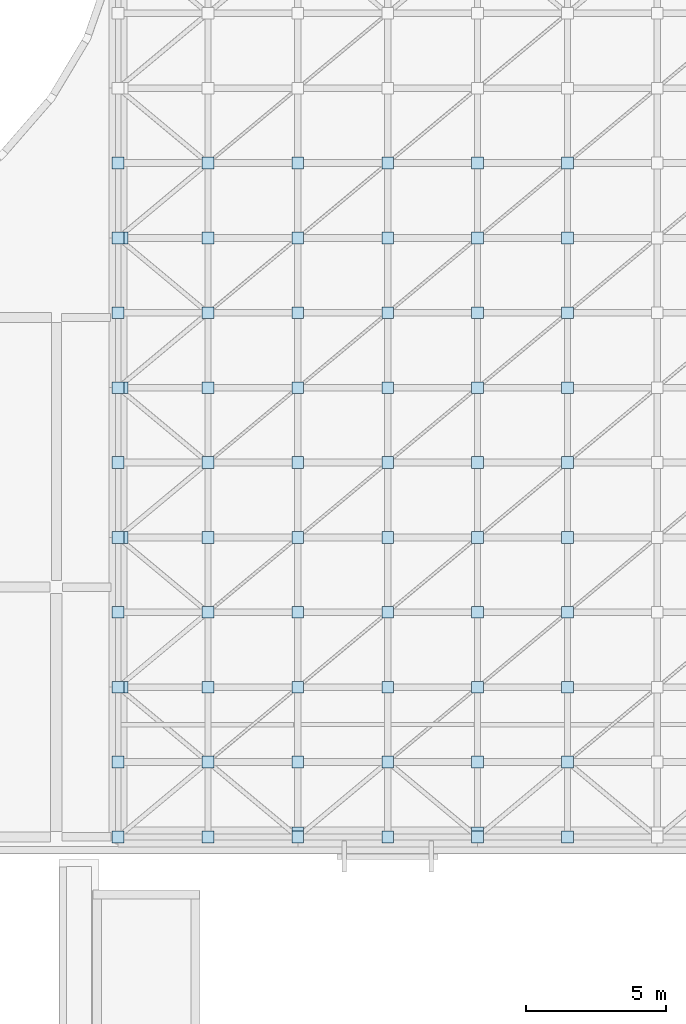
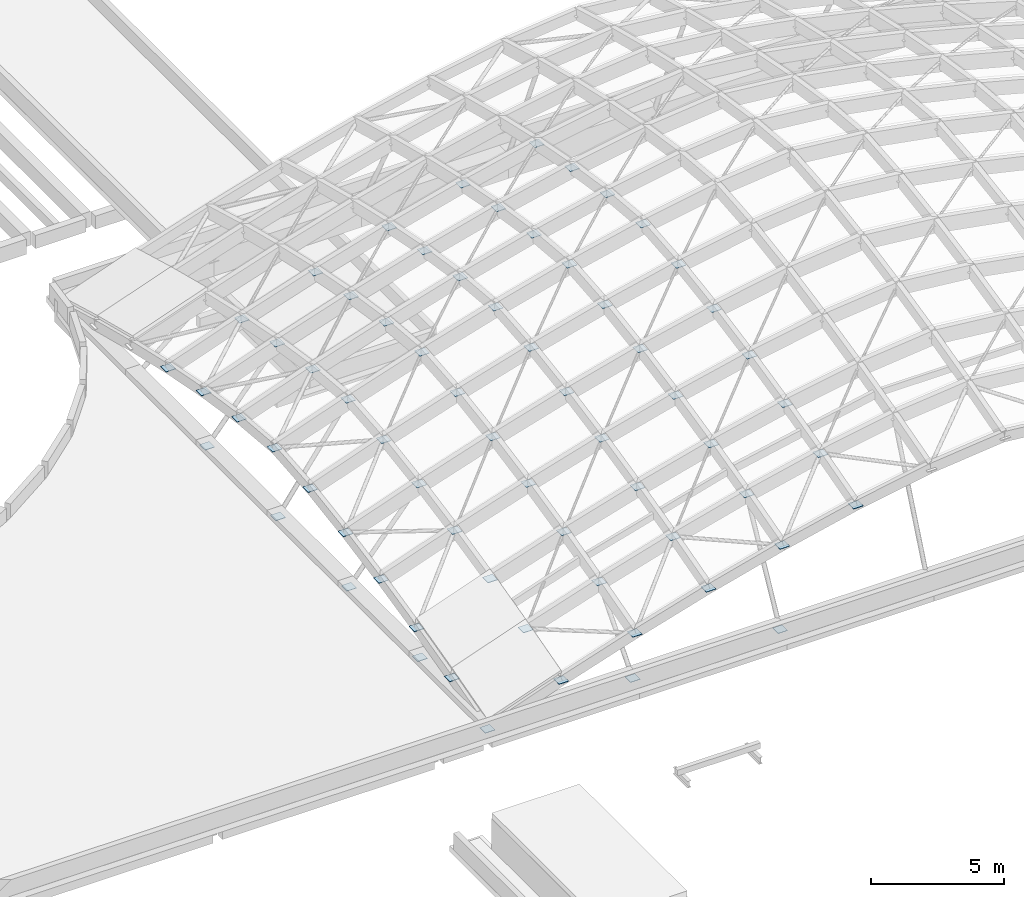
# One storey, part 31 of 40: 66 plates.
"""IFC4 building model written with IfcOpenShell, lengths in metres."""

from ifc_helpers import new_model, si_unit, direction, frame, origin, origin_2d, place, context, subcontext, project, spatial, rectangle, extrude, material, layer, layer_set, type_object, element, save


model = new_model("IFC4")

# Units and contexts
model_context = context("Model", 3, precision=1e-05, world=origin(), true_north=direction((0.0, 1.0)))
body_context = subcontext(model_context, "Body", "Model", "MODEL_VIEW")
ifc_project = project(units=[si_unit("LENGTHUNIT", "METRE"), si_unit("AREAUNIT", "SQUARE_METRE"), si_unit("VOLUMEUNIT", "CUBIC_METRE"), si_unit("PLANEANGLEUNIT", "RADIAN"), si_unit("MASSUNIT", "GRAM", prefix="KILO")], contexts=[model_context])

# Site, building, storey
site_placement = place(None, origin())
site = spatial("IfcSite", under=ifc_project, at=site_placement, CompositionType="ELEMENT")
building_placement = place(site_placement, origin())
building = spatial("IfcBuilding", under=site, at=building_placement, Name="Mzevani Central Library", CompositionType="ELEMENT")
storey_placement = place(building_placement, frame((0.0, 0.0, 26.699951171875)))
storey = spatial("IfcBuildingStorey", under=building, at=storey_placement, Name="RF", CompositionType="ELEMENT", Elevation=26.699951171875)

# Plates
ifc_material = material(Name="Steel S355J2", Category="steel")
ifc_layer = layer(ifc_material, 0.02001953125, Name="Gridshell Hub Gusset Plate 20")
ifc_layer_set = layer_set([ifc_layer], Name="Steel S355J2")
plate_type = type_object("IfcPlateType", Name="Gridshell Hub Gusset Plate 20", PredefinedType="SHEET", material=ifc_layer_set)
for number, where, z_axis, x_axis, name in (
    (1, (114.199951171875, 43.10009765625, -12.9599609375), (0.0, 0.0, 1.0), (1.0, 0.0, 0.0), "RF Gridshell Hub Gusset Node 1.1"),
    (2, (114.199951171875, 45.7666015625, -12.216552734375), (0.0, 0.0, 1.0), (1.0, 0.0, 0.0), "RF Gridshell Hub Gusset Node 1.2"),
    (3, (114.199951171875, 48.433349609375, -11.53759765625), (0.0, 0.0, 1.0), (1.0, 0.0, 0.0), "RF Gridshell Hub Gusset Node 1.3"),
    (4, (114.199951171875, 51.10009765625, -10.93115234375), (0.0, 0.0, 1.0), (1.0, 0.0, 0.0), "RF Gridshell Hub Gusset Node 1.4"),
    (5, (114.199951171875, 53.7666015625, -10.41064453125), (0.0, 0.0, 1.0), (1.0, 0.0, 0.0), "RF Gridshell Hub Gusset Node 1.5"),
    (6, (114.199951171875, 56.433349609375, -9.998046875), (0.0, 0.0, 1.0), (1.0, 0.0, 0.0), "RF Gridshell Hub Gusset Node 1.6"),
    (7, (114.199951171875, 59.10009765625, -9.760009765625), (0.0, 0.0, 1.0), (1.0, 0.0, 0.0), "RF Gridshell Hub Gusset Node 1.7"),
    (8, (114.199951171875, 61.7666015625, -9.998046875), (0.0, 0.0, 1.0), (1.0, 0.0, 0.0), "RF Gridshell Hub Gusset Node 1.8"),
    (9, (114.199951171875, 64.433349609375, -10.41064453125), (0.0, 0.0, 1.0), (1.0, 0.0, 0.0), "RF Gridshell Hub Gusset Node 1.9"),
    (10, (114.199951171875, 67.10009765625, -10.93115234375), (0.0, 0.0, 1.0), (1.0, 0.0, 0.0), "RF Gridshell Hub Gusset Node 1.10"),
    (11, (117.39990234375, 43.10009765625, -11.83837890625), (0.0, 0.0, 1.0), (1.0, 0.0, 0.0), "RF Gridshell Hub Gusset Node 2.1"),
    (12, (117.39990234375, 45.7666015625, -11.094970703125), (0.0, 0.0, 1.0), (1.0, 0.0, 0.0), "RF Gridshell Hub Gusset Node 2.2"),
    (13, (117.39990234375, 48.433349609375, -10.415771484375), (0.0, 0.0, 1.0), (1.0, 0.0, 0.0), "RF Gridshell Hub Gusset Node 2.3"),
    (14, (117.39990234375, 51.10009765625, -9.8095703125), (0.0, 0.0, 1.0), (1.0, 0.0, 0.0), "RF Gridshell Hub Gusset Node 2.4"),
    (15, (117.39990234375, 53.7666015625, -9.288818359375), (0.0, 0.0, 1.0), (1.0, 0.0, 0.0), "RF Gridshell Hub Gusset Node 2.5"),
    (16, (117.39990234375, 56.433349609375, -8.87646484375), (0.0, 0.0, 1.0), (1.0, 0.0, 0.0), "RF Gridshell Hub Gusset Node 2.6"),
    (17, (117.39990234375, 59.10009765625, -8.63818359375), (0.0, 0.0, 1.0), (1.0, 0.0, 0.0), "RF Gridshell Hub Gusset Node 2.7"),
    (18, (117.39990234375, 61.7666015625, -8.87646484375), (0.0, 0.0, 1.0), (1.0, 0.0, 0.0), "RF Gridshell Hub Gusset Node 2.8"),
    (19, (117.39990234375, 64.433349609375, -9.288818359375), (0.0, 0.0, 1.0), (1.0, 0.0, 0.0), "RF Gridshell Hub Gusset Node 2.9"),
    (20, (117.39990234375, 67.10009765625, -9.8095703125), (0.0, 0.0, 1.0), (1.0, 0.0, 0.0), "RF Gridshell Hub Gusset Node 2.10"),
    (21, (120.60009765625, 43.10009765625, -10.7978515625), (0.0, 0.0, 1.0), (1.0, 0.0, 0.0), "RF Gridshell Hub Gusset Node 3.1"),
    (22, (120.60009765625, 45.7666015625, -10.054443359375), (0.0, 0.0, 1.0), (1.0, 0.0, 0.0), "RF Gridshell Hub Gusset Node 3.2"),
    (23, (120.60009765625, 48.433349609375, -9.37548828125), (0.0, 0.0, 1.0), (1.0, 0.0, 0.0), "RF Gridshell Hub Gusset Node 3.3"),
    (24, (120.60009765625, 51.10009765625, -8.769287109375), (0.0, 0.0, 1.0), (1.0, 0.0, 0.0), "RF Gridshell Hub Gusset Node 3.4"),
    (25, (120.60009765625, 53.7666015625, -8.24853515625), (0.0, 0.0, 1.0), (1.0, 0.0, 0.0), "RF Gridshell Hub Gusset Node 3.5"),
    (26, (120.60009765625, 56.433349609375, -7.836181640625), (0.0, 0.0, 1.0), (1.0, 0.0, 0.0), "RF Gridshell Hub Gusset Node 3.6"),
    (27, (120.60009765625, 59.10009765625, -7.597900390625), (0.0, 0.0, 1.0), (1.0, 0.0, 0.0), "RF Gridshell Hub Gusset Node 3.7"),
    (28, (120.60009765625, 61.7666015625, -7.836181640625), (0.0, 0.0, 1.0), (1.0, 0.0, 0.0), "RF Gridshell Hub Gusset Node 3.8"),
    (29, (120.60009765625, 64.433349609375, -8.24853515625), (0.0, 0.0, 1.0), (1.0, 0.0, 0.0), "RF Gridshell Hub Gusset Node 3.9"),
    (30, (120.60009765625, 67.10009765625, -8.769287109375), (0.0, 0.0, 1.0), (1.0, 0.0, 0.0), "RF Gridshell Hub Gusset Node 3.10"),
    (31, (123.800048828125, 43.10009765625, -9.84765625), (0.0, 0.0, 1.0), (1.0, 0.0, 0.0), "RF Gridshell Hub Gusset Node 4.1"),
    (32, (123.800048828125, 45.7666015625, -9.104248046875), (0.0, 0.0, 1.0), (1.0, 0.0, 0.0), "RF Gridshell Hub Gusset Node 4.2"),
    (33, (123.800048828125, 48.433349609375, -8.425048828125), (0.0, 0.0, 1.0), (1.0, 0.0, 0.0), "RF Gridshell Hub Gusset Node 4.3"),
    (34, (123.800048828125, 51.10009765625, -7.81884765625), (0.0, 0.0, 1.0), (1.0, 0.0, 0.0), "RF Gridshell Hub Gusset Node 4.4"),
    (35, (123.800048828125, 53.7666015625, -7.298095703125), (0.0, 0.0, 1.0), (1.0, 0.0, 0.0), "RF Gridshell Hub Gusset Node 4.5"),
    (36, (123.800048828125, 56.433349609375, -6.8857421875), (0.0, 0.0, 1.0), (1.0, 0.0, 0.0), "RF Gridshell Hub Gusset Node 4.6"),
    (37, (123.800048828125, 59.10009765625, -6.6474609375), (0.0, 0.0, 1.0), (1.0, 0.0, 0.0), "RF Gridshell Hub Gusset Node 4.7"),
    (38, (123.800048828125, 61.7666015625, -6.8857421875), (0.0, 0.0, 1.0), (1.0, 0.0, 0.0), "RF Gridshell Hub Gusset Node 4.8"),
    (39, (123.800048828125, 64.433349609375, -7.298095703125), (0.0, 0.0, 1.0), (1.0, 0.0, 0.0), "RF Gridshell Hub Gusset Node 4.9"),
    (40, (123.800048828125, 67.10009765625, -7.81884765625), (0.0, 0.0, 1.0), (1.0, 0.0, 0.0), "RF Gridshell Hub Gusset Node 4.10"),
    (41, (127.0, 43.10009765625, -8.9990234375), (0.0, 0.0, 1.0), (1.0, 0.0, 0.0), "RF Gridshell Hub Gusset Node 5.1"),
    (42, (127.0, 45.7666015625, -8.255859375), (0.0, 0.0, 1.0), (1.0, 0.0, 0.0), "RF Gridshell Hub Gusset Node 5.2"),
    (43, (127.0, 48.433349609375, -7.57666015625), (0.0, 0.0, 1.0), (1.0, 0.0, 0.0), "RF Gridshell Hub Gusset Node 5.3"),
    (44, (127.0, 51.10009765625, -6.970458984375), (0.0, 0.0, 1.0), (1.0, 0.0, 0.0), "RF Gridshell Hub Gusset Node 5.4"),
    (45, (127.0, 53.7666015625, -6.44970703125), (0.0, 0.0, 1.0), (1.0, 0.0, 0.0), "RF Gridshell Hub Gusset Node 5.5"),
    (46, (127.0, 56.433349609375, -6.037353515625), (0.0, 0.0, 1.0), (1.0, 0.0, 0.0), "RF Gridshell Hub Gusset Node 5.6"),
    (47, (127.0, 59.10009765625, -5.799072265625), (0.0, 0.0, 1.0), (1.0, 0.0, 0.0), "RF Gridshell Hub Gusset Node 5.7"),
    (48, (127.0, 61.7666015625, -6.037353515625), (0.0, 0.0, 1.0), (1.0, 0.0, 0.0), "RF Gridshell Hub Gusset Node 5.8"),
    (49, (127.0, 64.433349609375, -6.44970703125), (0.0, 0.0, 1.0), (1.0, 0.0, 0.0), "RF Gridshell Hub Gusset Node 5.9"),
    (50, (127.0, 67.10009765625, -6.970458984375), (0.0, 0.0, 1.0), (1.0, 0.0, 0.0), "RF Gridshell Hub Gusset Node 5.10"),
    (51, (130.199951171875, 43.10009765625, -8.2705078125), (0.0, 0.0, 1.0), (1.0, 0.0, 0.0), "RF Gridshell Hub Gusset Node 6.1"),
    (52, (130.199951171875, 45.7666015625, -7.527099609375), (0.0, 0.0, 1.0), (1.0, 0.0, 0.0), "RF Gridshell Hub Gusset Node 6.2"),
    (53, (130.199951171875, 48.433349609375, -6.847900390625), (0.0, 0.0, 1.0), (1.0, 0.0, 0.0), "RF Gridshell Hub Gusset Node 6.3"),
    (54, (130.199951171875, 51.10009765625, -6.24169921875), (0.0, 0.0, 1.0), (1.0, 0.0, 0.0), "RF Gridshell Hub Gusset Node 6.4"),
    (55, (130.199951171875, 53.7666015625, -5.72119140625), (0.0, 0.0, 1.0), (1.0, 0.0, 0.0), "RF Gridshell Hub Gusset Node 6.5"),
    (56, (130.199951171875, 56.433349609375, -5.30859375), (0.0, 0.0, 1.0), (1.0, 0.0, 0.0), "RF Gridshell Hub Gusset Node 6.6"),
    (57, (130.199951171875, 59.10009765625, -5.070556640625), (0.0, 0.0, 1.0), (1.0, 0.0, 0.0), "RF Gridshell Hub Gusset Node 6.7"),
    (58, (130.199951171875, 61.7666015625, -5.30859375), (0.0, 0.0, 1.0), (1.0, 0.0, 0.0), "RF Gridshell Hub Gusset Node 6.8"),
    (59, (130.199951171875, 64.433349609375, -5.72119140625), (0.0, 0.0, 1.0), (1.0, 0.0, 0.0), "RF Gridshell Hub Gusset Node 6.9"),
    (60, (130.199951171875, 67.10009765625, -6.24169921875), (0.0, 0.0, 1.0), (1.0, 0.0, 0.0), "RF Gridshell Hub Gusset Node 6.10"),
    (61, (120.60009765625, 43.25, -12.9599609375), (0.0, 0.0, 1.0), (1.0, 0.0, 0.0), "RF Gridshell Raker Base Shoe Plate S.1"),
    (62, (127.0, 43.25, -12.9599609375), (0.0, 0.0, 1.0), (1.0, 0.0, 0.0), "RF Gridshell Raker Base Shoe Plate S.2"),
    (63, (114.35009765625, 48.433349609375, -12.9599609375), (0.0, 0.0, 1.0), (1.0, 0.0, 0.0), "RF Gridshell Raker Base Shoe Plate W.1"),
    (64, (114.35009765625, 53.7666015625, -12.9599609375), (0.0, 0.0, 1.0), (1.0, 0.0, 0.0), "RF Gridshell Raker Base Shoe Plate W.2"),
    (65, (114.35009765625, 59.10009765625, -12.9599609375), (0.0, 0.0, 1.0), (1.0, 0.0, 0.0), "RF Gridshell Raker Base Shoe Plate W.3"),
    (66, (114.35009765625, 64.433349609375, -12.9599609375), (0.0, 0.0, 1.0), (1.0, 0.0, 0.0), "RF Gridshell Raker Base Shoe Plate W.4"),
):
    element("IfcPlate", number, at=place(storey_placement, frame(where, z_axis=z_axis, x_axis=x_axis)), inside=storey, type_object=plate_type, Name=name, PredefinedType="SHEET", context=body_context, shape_type="SweptSolid", body=[
        extrude(rectangle(XDim=0.419921875, YDim=0.419921875, at=origin_2d()), origin(), (0.0, 0.0, 1.0), 0.02001953125),
    ])

save(model, "model.ifc")
